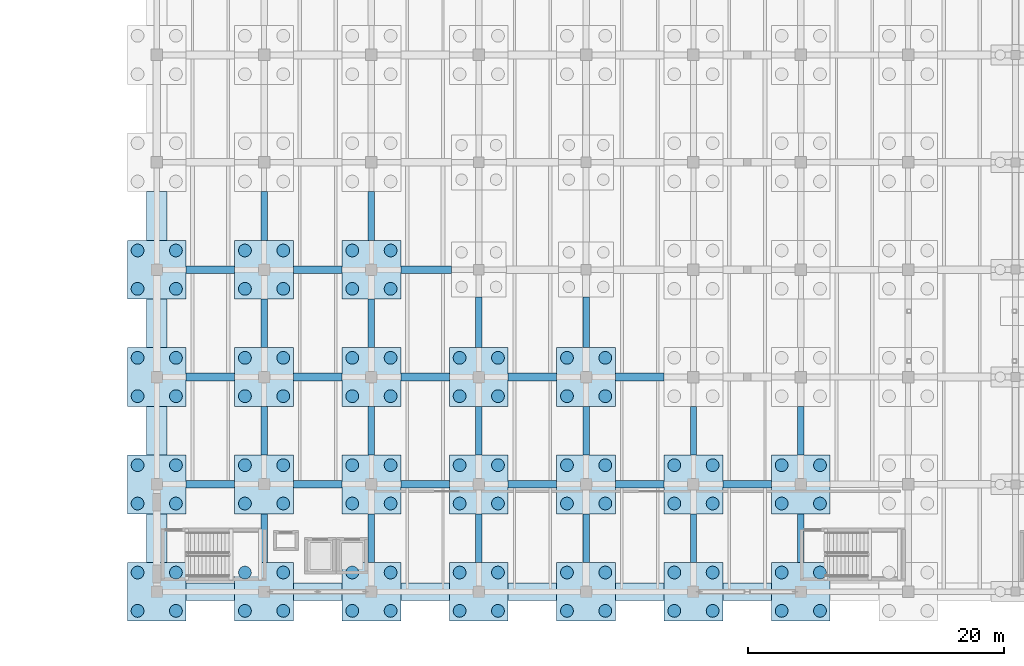
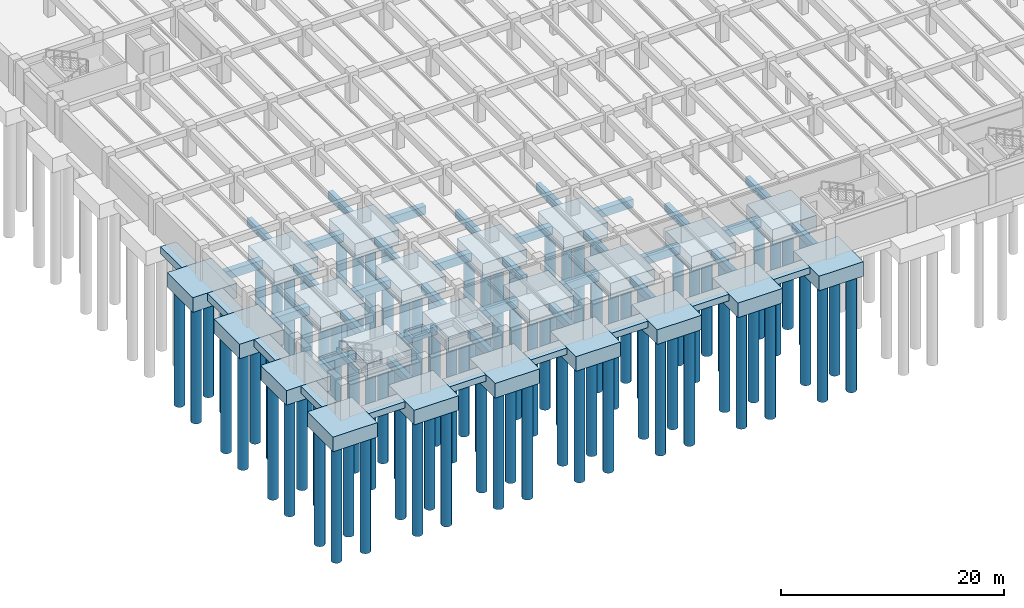
# One storey, part 1 of 70: 88 piles, 64 footings.
"""IFC4 building model written with IfcOpenShell, lengths in metres."""

from ifc_helpers import new_model, si_unit, direction, frame, origin, origin_2d, place, context, subcontext, project, spatial, rectangle, circle, extrude, material, material_profile, profile_set, type_object, element, save


model = new_model("IFC4")

# Units and contexts
model_context = context("Model", 3, precision=1e-05, world=origin(), true_north=direction((0.0, 1.0)))
body_context = subcontext(model_context, "Body", "Model", "MODEL_VIEW")
ifc_project = project(units=[si_unit("LENGTHUNIT", "METRE"), si_unit("AREAUNIT", "SQUARE_METRE"), si_unit("VOLUMEUNIT", "CUBIC_METRE"), si_unit("PLANEANGLEUNIT", "RADIAN"), si_unit("MASSUNIT", "GRAM", prefix="KILO")], contexts=[model_context])

# Site, building, storey
site_placement = place(None, origin())
site = spatial("IfcSite", under=ifc_project, at=site_placement, CompositionType="ELEMENT")
building_placement = place(site_placement, origin())
building = spatial("IfcBuilding", under=site, at=building_placement, Name="Cumbredor Promenade Congress Hotel", CompositionType="ELEMENT")
storey_placement = place(building_placement, frame((0.0, 0.0, -7.56005859375)))
storey = spatial("IfcBuildingStorey", under=building, at=storey_placement, Name="B02", CompositionType="ELEMENT", Elevation=-7.56005859375)

# Piles
ifc_material = material(Name="Concrete C40/50", Category="concrete")
ifc_material_profile_1 = material_profile(ifc_material, circle(Radius=0.5, at=origin_2d()), Name="PILE D1000")
ifc_profile_set_1 = profile_set([ifc_material_profile_1], Name="Concrete C40/50")
pile_type = type_object("IfcPileType", Name="Bored Concrete Pile BP-03 1000mm", PredefinedType="BORED", material=ifc_profile_set_1)
for number, where, z_axis, x_axis, name in (
    (1, (6.89990234375, 6.89990234375, -1.949951171875), (0.0, 0.0, -1.0), (1.0, 0.0, 0.0), "Bored Pile PC-03-006.1"),
    (2, (9.89990234375, 6.89990234375, -1.949951171875), (0.0, 0.0, -1.0), (1.0, 0.0, 0.0), "Bored Pile PC-03-006.2"),
    (3, (6.89990234375, 9.89990234375, -1.949951171875), (0.0, 0.0, -1.0), (1.0, 0.0, 0.0), "Bored Pile PC-03-006.3"),
    (4, (9.89990234375, 9.89990234375, -1.949951171875), (0.0, 0.0, -1.0), (1.0, 0.0, 0.0), "Bored Pile PC-03-006.4"),
    (5, (6.89990234375, 15.300048828125, -1.949951171875), (0.0, 0.0, -1.0), (1.0, 0.0, 0.0), "Bored Pile PC-03-007.1"),
    (6, (9.89990234375, 15.300048828125, -1.949951171875), (0.0, 0.0, -1.0), (1.0, 0.0, 0.0), "Bored Pile PC-03-007.2"),
    (7, (6.89990234375, 18.300048828125, -1.949951171875), (0.0, 0.0, -1.0), (1.0, 0.0, 0.0), "Bored Pile PC-03-007.3"),
    (8, (9.89990234375, 18.300048828125, -1.949951171875), (0.0, 0.0, -1.0), (1.0, 0.0, 0.0), "Bored Pile PC-03-007.4"),
    (9, (6.89990234375, 23.699951171875, -1.949951171875), (0.0, 0.0, -1.0), (1.0, 0.0, 0.0), "Bored Pile PC-03-008.1"),
    (10, (9.89990234375, 23.699951171875, -1.949951171875), (0.0, 0.0, -1.0), (1.0, 0.0, 0.0), "Bored Pile PC-03-008.2"),
    (11, (6.89990234375, 26.699951171875, -1.949951171875), (0.0, 0.0, -1.0), (1.0, 0.0, 0.0), "Bored Pile PC-03-008.3"),
    (12, (9.89990234375, 26.699951171875, -1.949951171875), (0.0, 0.0, -1.0), (1.0, 0.0, 0.0), "Bored Pile PC-03-008.4"),
    (13, (6.89990234375, 32.10009765625, -1.949951171875), (0.0, 0.0, -1.0), (1.0, 0.0, 0.0), "Bored Pile PC-03-009.1"),
    (14, (9.89990234375, 32.10009765625, -1.949951171875), (0.0, 0.0, -1.0), (1.0, 0.0, 0.0), "Bored Pile PC-03-009.2"),
    (15, (6.89990234375, 35.10009765625, -1.949951171875), (0.0, 0.0, -1.0), (1.0, 0.0, 0.0), "Bored Pile PC-03-009.3"),
    (16, (9.89990234375, 35.10009765625, -1.949951171875), (0.0, 0.0, -1.0), (1.0, 0.0, 0.0), "Bored Pile PC-03-009.4"),
    (17, (15.300048828125, 6.89990234375, -1.949951171875), (0.0, 0.0, -1.0), (1.0, 0.0, 0.0), "Bored Pile PC-03-019.1"),
    (18, (18.300048828125, 6.89990234375, -1.949951171875), (0.0, 0.0, -1.0), (1.0, 0.0, 0.0), "Bored Pile PC-03-019.2"),
    (19, (15.300048828125, 9.89990234375, -1.949951171875), (0.0, 0.0, -1.0), (1.0, 0.0, 0.0), "Bored Pile PC-03-019.3"),
    (20, (18.300048828125, 9.89990234375, -1.949951171875), (0.0, 0.0, -1.0), (1.0, 0.0, 0.0), "Bored Pile PC-03-019.4"),
    (21, (15.300048828125, 15.300048828125, -1.949951171875), (0.0, 0.0, -1.0), (1.0, 0.0, 0.0), "Bored Pile PC-03-020.1"),
    (22, (18.300048828125, 15.300048828125, -1.949951171875), (0.0, 0.0, -1.0), (1.0, 0.0, 0.0), "Bored Pile PC-03-020.2"),
    (23, (15.300048828125, 18.300048828125, -1.949951171875), (0.0, 0.0, -1.0), (1.0, 0.0, 0.0), "Bored Pile PC-03-020.3"),
    (24, (18.300048828125, 18.300048828125, -1.949951171875), (0.0, 0.0, -1.0), (1.0, 0.0, 0.0), "Bored Pile PC-03-020.4"),
    (25, (15.300048828125, 23.699951171875, -1.949951171875), (0.0, 0.0, -1.0), (1.0, 0.0, 0.0), "Bored Pile PC-03-021.1"),
    (26, (18.300048828125, 23.699951171875, -1.949951171875), (0.0, 0.0, -1.0), (1.0, 0.0, 0.0), "Bored Pile PC-03-021.2"),
    (27, (15.300048828125, 26.699951171875, -1.949951171875), (0.0, 0.0, -1.0), (1.0, 0.0, 0.0), "Bored Pile PC-03-021.3"),
    (28, (18.300048828125, 26.699951171875, -1.949951171875), (0.0, 0.0, -1.0), (1.0, 0.0, 0.0), "Bored Pile PC-03-021.4"),
    (29, (15.300048828125, 32.10009765625, -1.949951171875), (0.0, 0.0, -1.0), (1.0, 0.0, 0.0), "Bored Pile PC-03-022.1"),
    (30, (18.300048828125, 32.10009765625, -1.949951171875), (0.0, 0.0, -1.0), (1.0, 0.0, 0.0), "Bored Pile PC-03-022.2"),
    (31, (15.300048828125, 35.10009765625, -1.949951171875), (0.0, 0.0, -1.0), (1.0, 0.0, 0.0), "Bored Pile PC-03-022.3"),
    (32, (18.300048828125, 35.10009765625, -1.949951171875), (0.0, 0.0, -1.0), (1.0, 0.0, 0.0), "Bored Pile PC-03-022.4"),
    (33, (23.699951171875, 6.89990234375, -1.949951171875), (0.0, 0.0, -1.0), (1.0, 0.0, 0.0), "Bored Pile PC-03-033.1"),
    (34, (26.699951171875, 6.89990234375, -1.949951171875), (0.0, 0.0, -1.0), (1.0, 0.0, 0.0), "Bored Pile PC-03-033.2"),
    (35, (23.699951171875, 9.89990234375, -1.949951171875), (0.0, 0.0, -1.0), (1.0, 0.0, 0.0), "Bored Pile PC-03-033.3"),
    (36, (26.699951171875, 9.89990234375, -1.949951171875), (0.0, 0.0, -1.0), (1.0, 0.0, 0.0), "Bored Pile PC-03-033.4"),
    (37, (23.699951171875, 15.300048828125, -1.949951171875), (0.0, 0.0, -1.0), (1.0, 0.0, 0.0), "Bored Pile PC-03-034.1"),
    (38, (26.699951171875, 15.300048828125, -1.949951171875), (0.0, 0.0, -1.0), (1.0, 0.0, 0.0), "Bored Pile PC-03-034.2"),
    (39, (23.699951171875, 18.300048828125, -1.949951171875), (0.0, 0.0, -1.0), (1.0, 0.0, 0.0), "Bored Pile PC-03-034.3"),
    (40, (26.699951171875, 18.300048828125, -1.949951171875), (0.0, 0.0, -1.0), (1.0, 0.0, 0.0), "Bored Pile PC-03-034.4"),
    (41, (23.699951171875, 23.699951171875, -1.949951171875), (0.0, 0.0, -1.0), (1.0, 0.0, 0.0), "Bored Pile PC-03-035.1"),
    (42, (26.699951171875, 23.699951171875, -1.949951171875), (0.0, 0.0, -1.0), (1.0, 0.0, 0.0), "Bored Pile PC-03-035.2"),
    (43, (23.699951171875, 26.699951171875, -1.949951171875), (0.0, 0.0, -1.0), (1.0, 0.0, 0.0), "Bored Pile PC-03-035.3"),
    (44, (26.699951171875, 26.699951171875, -1.949951171875), (0.0, 0.0, -1.0), (1.0, 0.0, 0.0), "Bored Pile PC-03-035.4"),
    (45, (23.699951171875, 32.10009765625, -1.949951171875), (0.0, 0.0, -1.0), (1.0, 0.0, 0.0), "Bored Pile PC-03-036.1"),
    (46, (26.699951171875, 32.10009765625, -1.949951171875), (0.0, 0.0, -1.0), (1.0, 0.0, 0.0), "Bored Pile PC-03-036.2"),
    (47, (23.699951171875, 35.10009765625, -1.949951171875), (0.0, 0.0, -1.0), (1.0, 0.0, 0.0), "Bored Pile PC-03-036.3"),
    (48, (26.699951171875, 35.10009765625, -1.949951171875), (0.0, 0.0, -1.0), (1.0, 0.0, 0.0), "Bored Pile PC-03-036.4"),
    (49, (32.10009765625, 6.89990234375, -1.949951171875), (0.0, 0.0, -1.0), (1.0, 0.0, 0.0), "Bored Pile PC-03-046.1"),
    (50, (35.10009765625, 6.89990234375, -1.949951171875), (0.0, 0.0, -1.0), (1.0, 0.0, 0.0), "Bored Pile PC-03-046.2"),
    (51, (32.10009765625, 9.89990234375, -1.949951171875), (0.0, 0.0, -1.0), (1.0, 0.0, 0.0), "Bored Pile PC-03-046.3"),
    (52, (35.10009765625, 9.89990234375, -1.949951171875), (0.0, 0.0, -1.0), (1.0, 0.0, 0.0), "Bored Pile PC-03-046.4"),
    (53, (32.10009765625, 15.300048828125, -1.949951171875), (0.0, 0.0, -1.0), (1.0, 0.0, 0.0), "Bored Pile PC-03-047.1"),
    (54, (35.10009765625, 15.300048828125, -1.949951171875), (0.0, 0.0, -1.0), (1.0, 0.0, 0.0), "Bored Pile PC-03-047.2"),
    (55, (32.10009765625, 18.300048828125, -1.949951171875), (0.0, 0.0, -1.0), (1.0, 0.0, 0.0), "Bored Pile PC-03-047.3"),
    (56, (35.10009765625, 18.300048828125, -1.949951171875), (0.0, 0.0, -1.0), (1.0, 0.0, 0.0), "Bored Pile PC-03-047.4"),
    (57, (32.10009765625, 23.699951171875, -1.949951171875), (0.0, 0.0, -1.0), (1.0, 0.0, 0.0), "Bored Pile PC-03-048.1"),
    (58, (35.10009765625, 23.699951171875, -1.949951171875), (0.0, 0.0, -1.0), (1.0, 0.0, 0.0), "Bored Pile PC-03-048.2"),
    (59, (32.10009765625, 26.699951171875, -1.949951171875), (0.0, 0.0, -1.0), (1.0, 0.0, 0.0), "Bored Pile PC-03-048.3"),
    (60, (35.10009765625, 26.699951171875, -1.949951171875), (0.0, 0.0, -1.0), (1.0, 0.0, 0.0), "Bored Pile PC-03-048.4"),
    (61, (40.5, 6.89990234375, -1.949951171875), (0.0, 0.0, -1.0), (1.0, 0.0, 0.0), "Bored Pile PC-03-059.1"),
    (62, (43.5, 6.89990234375, -1.949951171875), (0.0, 0.0, -1.0), (1.0, 0.0, 0.0), "Bored Pile PC-03-059.2"),
    (63, (40.5, 9.89990234375, -1.949951171875), (0.0, 0.0, -1.0), (1.0, 0.0, 0.0), "Bored Pile PC-03-059.3"),
    (64, (43.5, 9.89990234375, -1.949951171875), (0.0, 0.0, -1.0), (1.0, 0.0, 0.0), "Bored Pile PC-03-059.4"),
    (65, (40.5, 15.300048828125, -1.949951171875), (0.0, 0.0, -1.0), (1.0, 0.0, 0.0), "Bored Pile PC-03-060.1"),
    (66, (43.5, 15.300048828125, -1.949951171875), (0.0, 0.0, -1.0), (1.0, 0.0, 0.0), "Bored Pile PC-03-060.2"),
    (67, (40.5, 18.300048828125, -1.949951171875), (0.0, 0.0, -1.0), (1.0, 0.0, 0.0), "Bored Pile PC-03-060.3"),
    (68, (43.5, 18.300048828125, -1.949951171875), (0.0, 0.0, -1.0), (1.0, 0.0, 0.0), "Bored Pile PC-03-060.4"),
    (69, (40.5, 23.699951171875, -1.949951171875), (0.0, 0.0, -1.0), (1.0, 0.0, 0.0), "Bored Pile PC-03-061.1"),
    (70, (43.5, 23.699951171875, -1.949951171875), (0.0, 0.0, -1.0), (1.0, 0.0, 0.0), "Bored Pile PC-03-061.2"),
    (71, (40.5, 26.699951171875, -1.949951171875), (0.0, 0.0, -1.0), (1.0, 0.0, 0.0), "Bored Pile PC-03-061.3"),
    (72, (43.5, 26.699951171875, -1.949951171875), (0.0, 0.0, -1.0), (1.0, 0.0, 0.0), "Bored Pile PC-03-061.4"),
    (73, (48.89990234375, 6.89990234375, -1.949951171875), (0.0, 0.0, -1.0), (1.0, 0.0, 0.0), "Bored Pile PC-03-072.1"),
    (74, (51.89990234375, 6.89990234375, -1.949951171875), (0.0, 0.0, -1.0), (1.0, 0.0, 0.0), "Bored Pile PC-03-072.2"),
    (75, (48.89990234375, 9.89990234375, -1.949951171875), (0.0, 0.0, -1.0), (1.0, 0.0, 0.0), "Bored Pile PC-03-072.3"),
    (76, (51.89990234375, 9.89990234375, -1.949951171875), (0.0, 0.0, -1.0), (1.0, 0.0, 0.0), "Bored Pile PC-03-072.4"),
    (77, (48.89990234375, 15.300048828125, -1.949951171875), (0.0, 0.0, -1.0), (1.0, 0.0, 0.0), "Bored Pile PC-03-073.1"),
    (78, (51.89990234375, 15.300048828125, -1.949951171875), (0.0, 0.0, -1.0), (1.0, 0.0, 0.0), "Bored Pile PC-03-073.2"),
    (79, (48.89990234375, 18.300048828125, -1.949951171875), (0.0, 0.0, -1.0), (1.0, 0.0, 0.0), "Bored Pile PC-03-073.3"),
    (80, (51.89990234375, 18.300048828125, -1.949951171875), (0.0, 0.0, -1.0), (1.0, 0.0, 0.0), "Bored Pile PC-03-073.4"),
    (81, (57.300048828125, 6.89990234375, -1.949951171875), (0.0, 0.0, -1.0), (1.0, 0.0, 0.0), "Bored Pile PC-03-086.1"),
    (82, (60.300048828125, 6.89990234375, -1.949951171875), (0.0, 0.0, -1.0), (1.0, 0.0, 0.0), "Bored Pile PC-03-086.2"),
    (83, (57.300048828125, 9.89990234375, -1.949951171875), (0.0, 0.0, -1.0), (1.0, 0.0, 0.0), "Bored Pile PC-03-086.3"),
    (84, (60.300048828125, 9.89990234375, -1.949951171875), (0.0, 0.0, -1.0), (1.0, 0.0, 0.0), "Bored Pile PC-03-086.4"),
    (85, (57.300048828125, 15.300048828125, -1.949951171875), (0.0, 0.0, -1.0), (1.0, 0.0, 0.0), "Bored Pile PC-03-087.1"),
    (86, (60.300048828125, 15.300048828125, -1.949951171875), (0.0, 0.0, -1.0), (1.0, 0.0, 0.0), "Bored Pile PC-03-087.2"),
    (87, (57.300048828125, 18.300048828125, -1.949951171875), (0.0, 0.0, -1.0), (1.0, 0.0, 0.0), "Bored Pile PC-03-087.3"),
    (88, (60.300048828125, 18.300048828125, -1.949951171875), (0.0, 0.0, -1.0), (1.0, 0.0, 0.0), "Bored Pile PC-03-087.4"),
):
    element("IfcPile", number, at=place(storey_placement, frame(where, z_axis=z_axis, x_axis=x_axis)), inside=storey, type_object=pile_type, Name=name, PredefinedType="BORED", context=body_context, shape_type="SweptSolid", body=[
        extrude(circle(Radius=0.5, at=origin_2d()), origin(), (0.0, 0.0, 1.0), 12.800048828125),
    ])

# Footings
ifc_material_profile_2 = material_profile(ifc_material, rectangle(XDim=0.5, YDim=0.800048828125, at=origin_2d()), Name="FB 500x800")
ifc_profile_set_2 = profile_set([ifc_material_profile_2], Name="Concrete C40/50")
footing_type_1 = type_object("IfcFootingType", Name="Concrete Footing Tie Beam FB-01 500x800", PredefinedType="FOOTING_BEAM", material=ifc_profile_set_2)
footing_1_placement = place(storey_placement, frame((16.800048828125, 10.701904296875, -0.89990234375), z_axis=(0.0, 1.0, 0.0), x_axis=(-1.0, 0.0, 0.0)))
element("IfcFooting", 89, at=footing_1_placement, inside=storey, type_object=footing_type_1, Name="Seismic Footing Tie Beam FB-035", PredefinedType="FOOTING_BEAM", context=body_context, shape_type="SweptSolid", body=[
    extrude(rectangle(XDim=0.5, YDim=0.800048828125, at=origin_2d()), origin(), (0.0, 0.0, 1.0), 3.796142578125),
])
footing_2_placement = place(storey_placement, frame((16.800048828125, 19.10205078125, -0.89990234375), z_axis=(0.0, 1.0, 0.0), x_axis=(-1.0, 0.0, 0.0)))
element("IfcFooting", 90, at=footing_2_placement, inside=storey, type_object=footing_type_1, Name="Seismic Footing Tie Beam FB-037", PredefinedType="FOOTING_BEAM", context=body_context, shape_type="SweptSolid", body=[
    extrude(rectangle(XDim=0.5, YDim=0.800048828125, at=origin_2d()), origin(), (0.0, 0.0, 1.0), 3.7958984375),
])
footing_3_placement = place(storey_placement, frame((16.800048828125, 27.501953125, -0.89990234375), z_axis=(0.0, 1.0, 0.0), x_axis=(-1.0, 0.0, 0.0)))
element("IfcFooting", 91, at=footing_3_placement, inside=storey, type_object=footing_type_1, Name="Seismic Footing Tie Beam FB-039", PredefinedType="FOOTING_BEAM", context=body_context, shape_type="SweptSolid", body=[
    extrude(rectangle(XDim=0.5, YDim=0.800048828125, at=origin_2d()), origin(), (0.0, 0.0, 1.0), 3.796142578125),
])
footing_4_placement = place(storey_placement, frame((16.800048828125, 35.902099609375, -0.89990234375), z_axis=(0.0, 1.0, 0.0), x_axis=(-1.0, 0.0, 0.0)))
element("IfcFooting", 92, at=footing_4_placement, inside=storey, type_object=footing_type_1, Name="Seismic Footing Tie Beam FB-041", PredefinedType="FOOTING_BEAM", context=body_context, shape_type="SweptSolid", body=[
    extrude(rectangle(XDim=0.5, YDim=0.800048828125, at=origin_2d()), origin(), (0.0, 0.0, 1.0), 3.7958984375),
])
footing_5_placement = place(storey_placement, frame((25.199951171875, 10.701904296875, -0.89990234375), z_axis=(0.0, 1.0, 0.0), x_axis=(-1.0, 0.0, 0.0)))
element("IfcFooting", 93, at=footing_5_placement, inside=storey, type_object=footing_type_1, Name="Seismic Footing Tie Beam FB-061", PredefinedType="FOOTING_BEAM", context=body_context, shape_type="SweptSolid", body=[
    extrude(rectangle(XDim=0.5, YDim=0.800048828125, at=origin_2d()), origin(), (0.0, 0.0, 1.0), 3.796142578125),
])
footing_6_placement = place(storey_placement, frame((25.199951171875, 19.10205078125, -0.89990234375), z_axis=(0.0, 1.0, 0.0), x_axis=(-1.0, 0.0, 0.0)))
element("IfcFooting", 94, at=footing_6_placement, inside=storey, type_object=footing_type_1, Name="Seismic Footing Tie Beam FB-063", PredefinedType="FOOTING_BEAM", context=body_context, shape_type="SweptSolid", body=[
    extrude(rectangle(XDim=0.5, YDim=0.800048828125, at=origin_2d()), origin(), (0.0, 0.0, 1.0), 3.7958984375),
])
footing_7_placement = place(storey_placement, frame((25.199951171875, 27.501953125, -0.89990234375), z_axis=(0.0, 1.0, 0.0), x_axis=(-1.0, 0.0, 0.0)))
element("IfcFooting", 95, at=footing_7_placement, inside=storey, type_object=footing_type_1, Name="Seismic Footing Tie Beam FB-065", PredefinedType="FOOTING_BEAM", context=body_context, shape_type="SweptSolid", body=[
    extrude(rectangle(XDim=0.5, YDim=0.800048828125, at=origin_2d()), origin(), (0.0, 0.0, 1.0), 3.796142578125),
])
footing_8_placement = place(storey_placement, frame((25.199951171875, 35.902099609375, -0.89990234375), z_axis=(0.0, 1.0, 0.0), x_axis=(-1.0, 0.0, 0.0)))
element("IfcFooting", 96, at=footing_8_placement, inside=storey, type_object=footing_type_1, Name="Seismic Footing Tie Beam FB-067", PredefinedType="FOOTING_BEAM", context=body_context, shape_type="SweptSolid", body=[
    extrude(rectangle(XDim=0.5, YDim=0.800048828125, at=origin_2d()), origin(), (0.0, 0.0, 1.0), 3.7958984375),
])
footing_9_placement = place(storey_placement, frame((33.60009765625, 10.701904296875, -0.89990234375), z_axis=(0.0, 1.0, 0.0), x_axis=(-1.0, 0.0, 0.0)))
element("IfcFooting", 97, at=footing_9_placement, inside=storey, type_object=footing_type_1, Name="Seismic Footing Tie Beam FB-083", PredefinedType="FOOTING_BEAM", context=body_context, shape_type="SweptSolid", body=[
    extrude(rectangle(XDim=0.5, YDim=0.800048828125, at=origin_2d()), origin(), (0.0, 0.0, 1.0), 3.796142578125),
])
footing_10_placement = place(storey_placement, frame((33.60009765625, 19.10205078125, -0.89990234375), z_axis=(0.0, 1.0, 0.0), x_axis=(-1.0, 0.0, 0.0)))
element("IfcFooting", 98, at=footing_10_placement, inside=storey, type_object=footing_type_1, Name="Seismic Footing Tie Beam FB-085", PredefinedType="FOOTING_BEAM", context=body_context, shape_type="SweptSolid", body=[
    extrude(rectangle(XDim=0.5, YDim=0.800048828125, at=origin_2d()), origin(), (0.0, 0.0, 1.0), 3.7958984375),
])
footing_11_placement = place(storey_placement, frame((33.60009765625, 27.501953125, -0.89990234375), z_axis=(0.0, 1.0, 0.0), x_axis=(-1.0, 0.0, 0.0)))
element("IfcFooting", 99, at=footing_11_placement, inside=storey, type_object=footing_type_1, Name="Seismic Footing Tie Beam FB-087", PredefinedType="FOOTING_BEAM", context=body_context, shape_type="SweptSolid", body=[
    extrude(rectangle(XDim=0.5, YDim=0.800048828125, at=origin_2d()), origin(), (0.0, 0.0, 1.0), 3.946044921875),
])
footing_12_placement = place(storey_placement, frame((42.0, 10.701904296875, -0.89990234375), z_axis=(0.0, 1.0, 0.0), x_axis=(-1.0, 0.0, 0.0)))
element("IfcFooting", 100, at=footing_12_placement, inside=storey, type_object=footing_type_1, Name="Seismic Footing Tie Beam FB-105", PredefinedType="FOOTING_BEAM", context=body_context, shape_type="SweptSolid", body=[
    extrude(rectangle(XDim=0.5, YDim=0.800048828125, at=origin_2d()), origin(), (0.0, 0.0, 1.0), 3.796142578125),
])
footing_13_placement = place(storey_placement, frame((42.0, 19.10205078125, -0.89990234375), z_axis=(0.0, 1.0, 0.0), x_axis=(-1.0, 0.0, 0.0)))
element("IfcFooting", 101, at=footing_13_placement, inside=storey, type_object=footing_type_1, Name="Seismic Footing Tie Beam FB-107", PredefinedType="FOOTING_BEAM", context=body_context, shape_type="SweptSolid", body=[
    extrude(rectangle(XDim=0.5, YDim=0.800048828125, at=origin_2d()), origin(), (0.0, 0.0, 1.0), 3.7958984375),
])
footing_14_placement = place(storey_placement, frame((42.0, 27.501953125, -0.89990234375), z_axis=(0.0, 1.0, 0.0), x_axis=(-1.0, 0.0, 0.0)))
element("IfcFooting", 102, at=footing_14_placement, inside=storey, type_object=footing_type_1, Name="Seismic Footing Tie Beam FB-109", PredefinedType="FOOTING_BEAM", context=body_context, shape_type="SweptSolid", body=[
    extrude(rectangle(XDim=0.5, YDim=0.800048828125, at=origin_2d()), origin(), (0.0, 0.0, 1.0), 3.946044921875),
])
footing_15_placement = place(storey_placement, frame((50.39990234375, 10.701904296875, -0.89990234375), z_axis=(0.0, 1.0, 0.0), x_axis=(-1.0, 0.0, 0.0)))
element("IfcFooting", 103, at=footing_15_placement, inside=storey, type_object=footing_type_1, Name="Seismic Footing Tie Beam FB-129", PredefinedType="FOOTING_BEAM", context=body_context, shape_type="SweptSolid", body=[
    extrude(rectangle(XDim=0.5, YDim=0.800048828125, at=origin_2d()), origin(), (0.0, 0.0, 1.0), 3.796142578125),
])
footing_16_placement = place(storey_placement, frame((50.39990234375, 19.10205078125, -0.89990234375), z_axis=(0.0, 1.0, 0.0), x_axis=(-1.0, 0.0, 0.0)))
element("IfcFooting", 104, at=footing_16_placement, inside=storey, type_object=footing_type_1, Name="Seismic Footing Tie Beam FB-131", PredefinedType="FOOTING_BEAM", context=body_context, shape_type="SweptSolid", body=[
    extrude(rectangle(XDim=0.5, YDim=0.800048828125, at=origin_2d()), origin(), (0.0, 0.0, 1.0), 3.7958984375),
])
footing_17_placement = place(storey_placement, frame((58.800048828125, 10.701904296875, -0.89990234375), z_axis=(0.0, 1.0, 0.0), x_axis=(-1.0, 0.0, 0.0)))
element("IfcFooting", 105, at=footing_17_placement, inside=storey, type_object=footing_type_1, Name="Seismic Footing Tie Beam FB-156", PredefinedType="FOOTING_BEAM", context=body_context, shape_type="SweptSolid", body=[
    extrude(rectangle(XDim=0.5, YDim=0.800048828125, at=origin_2d()), origin(), (0.0, 0.0, 1.0), 3.796142578125),
])
footing_18_placement = place(storey_placement, frame((58.800048828125, 19.10205078125, -0.89990234375), z_axis=(0.0, 1.0, 0.0), x_axis=(-1.0, 0.0, 0.0)))
element("IfcFooting", 106, at=footing_18_placement, inside=storey, type_object=footing_type_1, Name="Seismic Footing Tie Beam FB-158", PredefinedType="FOOTING_BEAM", context=body_context, shape_type="SweptSolid", body=[
    extrude(rectangle(XDim=0.5, YDim=0.800048828125, at=origin_2d()), origin(), (0.0, 0.0, 1.0), 3.7958984375),
])
ifc_material_profile_3 = material_profile(ifc_material, rectangle(XDim=0.60009765625, YDim=0.89990234375, at=origin_2d()), Name="FB 600x900")
ifc_profile_set_3 = profile_set([ifc_material_profile_3], Name="Concrete C40/50")
footing_type_2 = type_object("IfcFootingType", Name="Concrete Footing Tie Beam FB-02 600x900", PredefinedType="FOOTING_BEAM", material=ifc_profile_set_3)
for number, where, z_axis, x_axis, name in (
    (107, (10.701904296875, 16.800048828125, -0.949951171875), (1.0, 0.0, 0.0), (0.0, 1.0, 0.0), "Seismic Footing Tie Beam FB-012"),
    (108, (10.701904296875, 25.199951171875, -0.949951171875), (1.0, 0.0, 0.0), (0.0, 1.0, 0.0), "Seismic Footing Tie Beam FB-014"),
    (109, (10.701904296875, 33.60009765625, -0.949951171875), (1.0, 0.0, 0.0), (0.0, 1.0, 0.0), "Seismic Footing Tie Beam FB-016"),
):
    element("IfcFooting", number, at=place(storey_placement, frame(where, z_axis=z_axis, x_axis=x_axis)), inside=storey, type_object=footing_type_2, Name=name, PredefinedType="FOOTING_BEAM", context=body_context, shape_type="SweptSolid", body=[
        extrude(rectangle(XDim=0.60009765625, YDim=0.89990234375, at=origin_2d()), origin(), (0.0, 0.0, 1.0), 3.796142578125),
    ])
for number, where, z_axis, x_axis, name in (
    (110, (19.10205078125, 16.800048828125, -0.949951171875), (1.0, 0.0, 0.0), (0.0, 1.0, 0.0), "Seismic Footing Tie Beam FB-036"),
    (111, (19.10205078125, 25.199951171875, -0.949951171875), (1.0, 0.0, 0.0), (0.0, 1.0, 0.0), "Seismic Footing Tie Beam FB-038"),
    (112, (19.10205078125, 33.60009765625, -0.949951171875), (1.0, 0.0, 0.0), (0.0, 1.0, 0.0), "Seismic Footing Tie Beam FB-040"),
):
    element("IfcFooting", number, at=place(storey_placement, frame(where, z_axis=z_axis, x_axis=x_axis)), inside=storey, type_object=footing_type_2, Name=name, PredefinedType="FOOTING_BEAM", context=body_context, shape_type="SweptSolid", body=[
        extrude(rectangle(XDim=0.60009765625, YDim=0.89990234375, at=origin_2d()), origin(), (0.0, 0.0, 1.0), 3.7958984375),
    ])
for number, where, z_axis, x_axis, name in (
    (113, (27.501953125, 16.800048828125, -0.949951171875), (1.0, 0.0, 0.0), (0.0, 1.0, 0.0), "Seismic Footing Tie Beam FB-062"),
    (114, (27.501953125, 25.199951171875, -0.949951171875), (1.0, 0.0, 0.0), (0.0, 1.0, 0.0), "Seismic Footing Tie Beam FB-064"),
):
    element("IfcFooting", number, at=place(storey_placement, frame(where, z_axis=z_axis, x_axis=x_axis)), inside=storey, type_object=footing_type_2, Name=name, PredefinedType="FOOTING_BEAM", context=body_context, shape_type="SweptSolid", body=[
        extrude(rectangle(XDim=0.60009765625, YDim=0.89990234375, at=origin_2d()), origin(), (0.0, 0.0, 1.0), 3.796142578125),
    ])
footing_19_placement = place(storey_placement, frame((27.501953125, 33.60009765625, -0.949951171875), z_axis=(1.0, 0.0, 0.0), x_axis=(0.0, 1.0, 0.0)))
element("IfcFooting", 115, at=footing_19_placement, inside=storey, type_object=footing_type_2, Name="Seismic Footing Tie Beam FB-066", PredefinedType="FOOTING_BEAM", context=body_context, shape_type="SweptSolid", body=[
    extrude(rectangle(XDim=0.60009765625, YDim=0.89990234375, at=origin_2d()), origin(), (0.0, 0.0, 1.0), 3.946044921875),
])
for number, where, z_axis, x_axis, name in (
    (116, (35.902099609375, 16.800048828125, -0.949951171875), (1.0, 0.0, 0.0), (0.0, 1.0, 0.0), "Seismic Footing Tie Beam FB-084"),
    (117, (35.902099609375, 25.199951171875, -0.949951171875), (1.0, 0.0, 0.0), (0.0, 1.0, 0.0), "Seismic Footing Tie Beam FB-086"),
    (118, (44.302001953125, 16.800048828125, -0.949951171875), (1.0, 0.0, 0.0), (0.0, 1.0, 0.0), "Seismic Footing Tie Beam FB-106"),
    (119, (44.302001953125, 25.199951171875, -0.949951171875), (1.0, 0.0, 0.0), (0.0, 1.0, 0.0), "Seismic Footing Tie Beam FB-108"),
):
    element("IfcFooting", number, at=place(storey_placement, frame(where, z_axis=z_axis, x_axis=x_axis)), inside=storey, type_object=footing_type_2, Name=name, PredefinedType="FOOTING_BEAM", context=body_context, shape_type="SweptSolid", body=[
        extrude(rectangle(XDim=0.60009765625, YDim=0.89990234375, at=origin_2d()), origin(), (0.0, 0.0, 1.0), 3.7958984375),
    ])
footing_20_placement = place(storey_placement, frame((52.701904296875, 16.800048828125, -0.949951171875), z_axis=(1.0, 0.0, 0.0), x_axis=(0.0, 1.0, 0.0)))
element("IfcFooting", 120, at=footing_20_placement, inside=storey, type_object=footing_type_2, Name="Seismic Footing Tie Beam FB-130", PredefinedType="FOOTING_BEAM", context=body_context, shape_type="SweptSolid", body=[
    extrude(rectangle(XDim=0.60009765625, YDim=0.89990234375, at=origin_2d()), origin(), (0.0, 0.0, 1.0), 3.796142578125),
])
footing_type_3 = type_object("IfcFootingType", Name="Concrete Pile Cap PC-03 4600x4600x1600", PredefinedType="PILE_CAP", material=ifc_material)
for number, where, z_axis, x_axis, name in (
    (121, (8.39990234375, 8.39990234375, -2.10009765625), (0.0, 0.0, 1.0), (1.0, 0.0, 0.0), "Pile Cap PC-03 006"),
    (122, (8.39990234375, 16.800048828125, -2.10009765625), (0.0, 0.0, 1.0), (1.0, 0.0, 0.0), "Pile Cap PC-03 007"),
    (123, (8.39990234375, 25.199951171875, -2.10009765625), (0.0, 0.0, 1.0), (1.0, 0.0, 0.0), "Pile Cap PC-03 008"),
    (124, (8.39990234375, 33.60009765625, -2.10009765625), (0.0, 0.0, 1.0), (1.0, 0.0, 0.0), "Pile Cap PC-03 009"),
    (125, (16.800048828125, 8.39990234375, -2.10009765625), (0.0, 0.0, 1.0), (1.0, 0.0, 0.0), "Pile Cap PC-03 019"),
    (126, (16.800048828125, 16.800048828125, -2.10009765625), (0.0, 0.0, 1.0), (1.0, 0.0, 0.0), "Pile Cap PC-03 020"),
    (127, (16.800048828125, 25.199951171875, -2.10009765625), (0.0, 0.0, 1.0), (1.0, 0.0, 0.0), "Pile Cap PC-03 021"),
    (128, (16.800048828125, 33.60009765625, -2.10009765625), (0.0, 0.0, 1.0), (1.0, 0.0, 0.0), "Pile Cap PC-03 022"),
    (129, (25.199951171875, 8.39990234375, -2.10009765625), (0.0, 0.0, 1.0), (1.0, 0.0, 0.0), "Pile Cap PC-03 033"),
    (130, (25.199951171875, 16.800048828125, -2.10009765625), (0.0, 0.0, 1.0), (1.0, 0.0, 0.0), "Pile Cap PC-03 034"),
    (131, (25.199951171875, 25.199951171875, -2.10009765625), (0.0, 0.0, 1.0), (1.0, 0.0, 0.0), "Pile Cap PC-03 035"),
    (132, (25.199951171875, 33.60009765625, -2.10009765625), (0.0, 0.0, 1.0), (1.0, 0.0, 0.0), "Pile Cap PC-03 036"),
    (133, (33.60009765625, 8.39990234375, -2.10009765625), (0.0, 0.0, 1.0), (1.0, 0.0, 0.0), "Pile Cap PC-03 046"),
    (134, (33.60009765625, 16.800048828125, -2.10009765625), (0.0, 0.0, 1.0), (1.0, 0.0, 0.0), "Pile Cap PC-03 047"),
    (135, (33.60009765625, 25.199951171875, -2.10009765625), (0.0, 0.0, 1.0), (1.0, 0.0, 0.0), "Pile Cap PC-03 048"),
    (136, (42.0, 8.39990234375, -2.10009765625), (0.0, 0.0, 1.0), (1.0, 0.0, 0.0), "Pile Cap PC-03 059"),
    (137, (42.0, 16.800048828125, -2.10009765625), (0.0, 0.0, 1.0), (1.0, 0.0, 0.0), "Pile Cap PC-03 060"),
    (138, (42.0, 25.199951171875, -2.10009765625), (0.0, 0.0, 1.0), (1.0, 0.0, 0.0), "Pile Cap PC-03 061"),
    (139, (50.39990234375, 8.39990234375, -2.10009765625), (0.0, 0.0, 1.0), (1.0, 0.0, 0.0), "Pile Cap PC-03 072"),
    (140, (50.39990234375, 16.800048828125, -2.10009765625), (0.0, 0.0, 1.0), (1.0, 0.0, 0.0), "Pile Cap PC-03 073"),
    (141, (58.800048828125, 8.39990234375, -2.10009765625), (0.0, 0.0, 1.0), (1.0, 0.0, 0.0), "Pile Cap PC-03 086"),
    (142, (58.800048828125, 16.800048828125, -2.10009765625), (0.0, 0.0, 1.0), (1.0, 0.0, 0.0), "Pile Cap PC-03 087"),
):
    element("IfcFooting", number, at=place(storey_placement, frame(where, z_axis=z_axis, x_axis=x_axis)), inside=storey, type_object=footing_type_3, Name=name, PredefinedType="PILE_CAP", context=body_context, shape_type="SweptSolid", body=[
        extrude(rectangle(XDim=4.60009765625, YDim=4.60009765625, at=origin_2d()), origin(), (0.0, 0.0, 1.0), 1.60009765625),
    ])
ifc_material_profile_4 = material_profile(ifc_material, rectangle(XDim=1.39990234375, YDim=0.699951171875, at=origin_2d()), Name="SF 1400x700")
ifc_profile_set_4 = profile_set([ifc_material_profile_4], Name="Concrete C40/50")
footing_type_4 = type_object("IfcFootingType", Name="Concrete Strip Footing SF-01 1400x700", PredefinedType="STRIP_FOOTING", material=ifc_profile_set_4)
footing_21_placement = place(storey_placement, frame((10.701904296875, 8.39990234375, -0.849853515625), z_axis=(1.0, 0.0, 0.0), x_axis=(0.0, 1.0, 0.0)))
element("IfcFooting", 143, at=footing_21_placement, inside=storey, type_object=footing_type_4, Name="Perimeter Strip Footing SF-01 Seg 01", PredefinedType="STRIP_FOOTING", context=body_context, shape_type="SweptSolid", body=[
    extrude(rectangle(XDim=1.39990234375, YDim=0.699951171875, at=origin_2d()), origin(), (0.0, 0.0, 1.0), 3.796142578125),
])
footing_22_placement = place(storey_placement, frame((19.10205078125, 8.39990234375, -0.849853515625), z_axis=(1.0, 0.0, 0.0), x_axis=(0.0, 1.0, 0.0)))
element("IfcFooting", 144, at=footing_22_placement, inside=storey, type_object=footing_type_4, Name="Perimeter Strip Footing SF-01 Seg 02", PredefinedType="STRIP_FOOTING", context=body_context, shape_type="SweptSolid", body=[
    extrude(rectangle(XDim=1.39990234375, YDim=0.699951171875, at=origin_2d()), origin(), (0.0, 0.0, 1.0), 3.7958984375),
])
footing_23_placement = place(storey_placement, frame((27.501953125, 8.39990234375, -0.849853515625), z_axis=(1.0, 0.0, 0.0), x_axis=(0.0, 1.0, 0.0)))
element("IfcFooting", 145, at=footing_23_placement, inside=storey, type_object=footing_type_4, Name="Perimeter Strip Footing SF-01 Seg 03", PredefinedType="STRIP_FOOTING", context=body_context, shape_type="SweptSolid", body=[
    extrude(rectangle(XDim=1.39990234375, YDim=0.699951171875, at=origin_2d()), origin(), (0.0, 0.0, 1.0), 3.796142578125),
])
for number, where, z_axis, x_axis, name in (
    (146, (35.902099609375, 8.39990234375, -0.849853515625), (1.0, 0.0, 0.0), (0.0, 1.0, 0.0), "Perimeter Strip Footing SF-01 Seg 04"),
    (147, (44.302001953125, 8.39990234375, -0.849853515625), (1.0, 0.0, 0.0), (0.0, 1.0, 0.0), "Perimeter Strip Footing SF-01 Seg 05"),
):
    element("IfcFooting", number, at=place(storey_placement, frame(where, z_axis=z_axis, x_axis=x_axis)), inside=storey, type_object=footing_type_4, Name=name, PredefinedType="STRIP_FOOTING", context=body_context, shape_type="SweptSolid", body=[
        extrude(rectangle(XDim=1.39990234375, YDim=0.699951171875, at=origin_2d()), origin(), (0.0, 0.0, 1.0), 3.7958984375),
    ])
footing_24_placement = place(storey_placement, frame((52.701904296875, 8.39990234375, -0.849853515625), z_axis=(1.0, 0.0, 0.0), x_axis=(0.0, 1.0, 0.0)))
element("IfcFooting", 148, at=footing_24_placement, inside=storey, type_object=footing_type_4, Name="Perimeter Strip Footing SF-01 Seg 06", PredefinedType="STRIP_FOOTING", context=body_context, shape_type="SweptSolid", body=[
    extrude(rectangle(XDim=1.39990234375, YDim=0.699951171875, at=origin_2d()), origin(), (0.0, 0.0, 1.0), 3.796142578125),
])
ifc_material_profile_5 = material_profile(ifc_material, rectangle(XDim=1.60009765625, YDim=0.800048828125, at=origin_2d()), Name="SF 1600x800")
ifc_profile_set_5 = profile_set([ifc_material_profile_5], Name="Concrete C40/50")
footing_type_5 = type_object("IfcFootingType", Name="Concrete Strip Footing SF-02 1600x800", PredefinedType="STRIP_FOOTING", material=ifc_profile_set_5)
footing_25_placement = place(storey_placement, frame((8.39990234375, 10.701904296875, -0.89990234375), z_axis=(0.0, 1.0, 0.0), x_axis=(-1.0, 0.0, 0.0)))
element("IfcFooting", 149, at=footing_25_placement, inside=storey, type_object=footing_type_5, Name="Perimeter Strip Footing SF-08 Seg 01", PredefinedType="STRIP_FOOTING", context=body_context, shape_type="SweptSolid", body=[
    extrude(rectangle(XDim=1.60009765625, YDim=0.800048828125, at=origin_2d()), origin(), (0.0, 0.0, 1.0), 3.796142578125),
])
footing_26_placement = place(storey_placement, frame((8.39990234375, 19.10205078125, -0.89990234375), z_axis=(0.0, 1.0, 0.0), x_axis=(-1.0, 0.0, 0.0)))
element("IfcFooting", 150, at=footing_26_placement, inside=storey, type_object=footing_type_5, Name="Perimeter Strip Footing SF-08 Seg 02", PredefinedType="STRIP_FOOTING", context=body_context, shape_type="SweptSolid", body=[
    extrude(rectangle(XDim=1.60009765625, YDim=0.800048828125, at=origin_2d()), origin(), (0.0, 0.0, 1.0), 3.7958984375),
])
footing_27_placement = place(storey_placement, frame((8.39990234375, 27.501953125, -0.89990234375), z_axis=(0.0, 1.0, 0.0), x_axis=(-1.0, 0.0, 0.0)))
element("IfcFooting", 151, at=footing_27_placement, inside=storey, type_object=footing_type_5, Name="Perimeter Strip Footing SF-08 Seg 03", PredefinedType="STRIP_FOOTING", context=body_context, shape_type="SweptSolid", body=[
    extrude(rectangle(XDim=1.60009765625, YDim=0.800048828125, at=origin_2d()), origin(), (0.0, 0.0, 1.0), 3.796142578125),
])
footing_28_placement = place(storey_placement, frame((8.39990234375, 35.902099609375, -0.89990234375), z_axis=(0.0, 1.0, 0.0), x_axis=(-1.0, 0.0, 0.0)))
element("IfcFooting", 152, at=footing_28_placement, inside=storey, type_object=footing_type_5, Name="Perimeter Strip Footing SF-08 Seg 04", PredefinedType="STRIP_FOOTING", context=body_context, shape_type="SweptSolid", body=[
    extrude(rectangle(XDim=1.60009765625, YDim=0.800048828125, at=origin_2d()), origin(), (0.0, 0.0, 1.0), 3.7958984375),
])

save(model, "model.ifc")
